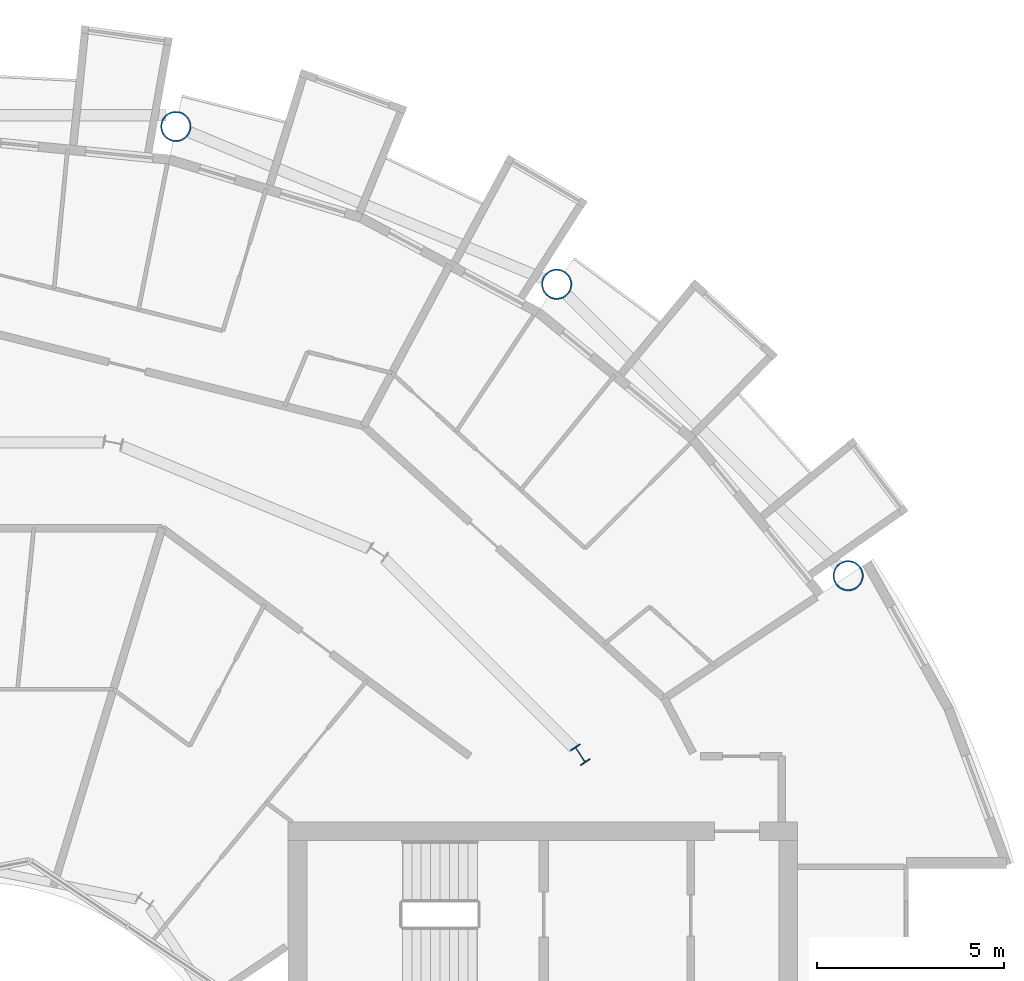
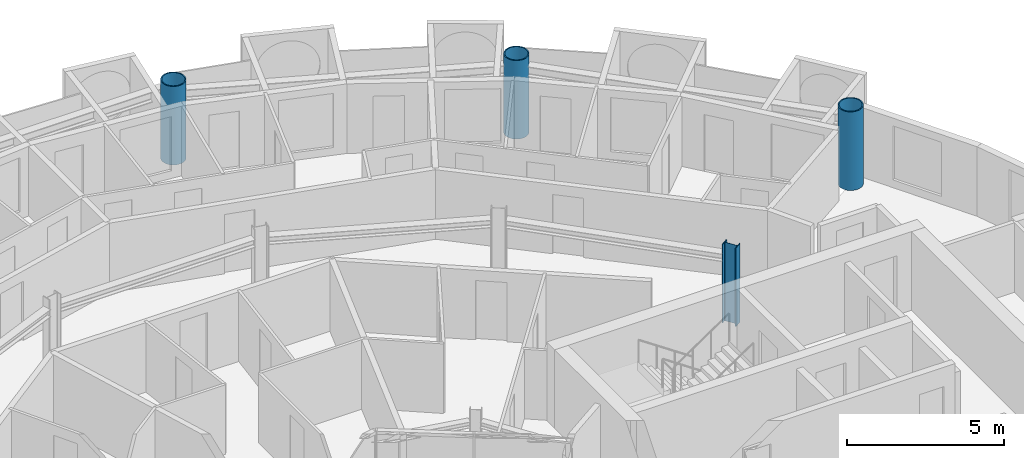
# One storey, part 4 of 27: 4 columns.
"""IFC4 building model written with IfcOpenShell, lengths in metres."""

from ifc_helpers import new_model, si_unit, direction, frame, origin, origin_2d, place, context, subcontext, project, spatial, hollow_circle, i_section, extrude, material, material_profile, profile_set, type_object, element, save


model = new_model("IFC4")

# Units and contexts
model_context = context("Model", 3, precision=1e-05, world=origin(), true_north=direction((0.0, 1.0)))
body_context = subcontext(model_context, "Body", "Model", "MODEL_VIEW")
ifc_project = project(units=[si_unit("LENGTHUNIT", "METRE"), si_unit("AREAUNIT", "SQUARE_METRE"), si_unit("VOLUMEUNIT", "CUBIC_METRE"), si_unit("PLANEANGLEUNIT", "RADIAN"), si_unit("MASSUNIT", "GRAM", prefix="KILO")], contexts=[model_context])

# Site, building, storey
site_placement = place(None, origin())
site = spatial("IfcSite", under=ifc_project, at=site_placement, CompositionType="ELEMENT")
building_placement = place(site_placement, origin())
building = spatial("IfcBuilding", under=site, at=building_placement, Name="Maasbend Ring Residences", CompositionType="ELEMENT")
storey_placement = place(building_placement, frame((0.0, 0.0, 151.300048828125)))
storey = spatial("IfcBuildingStorey", under=building, at=storey_placement, Name="L43", CompositionType="ELEMENT", Elevation=151.300048828125)

# Columns
ifc_material_1 = material(Name="Composite concrete-filled steel tube S460NH / C80/95", Category="concrete")
ifc_material_profile_1 = material_profile(ifc_material_1, hollow_circle(Radius=0.406494140625, WallThickness=0.0400390625, at=origin_2d()), Name="Composite tube column CHS 813x40")
ifc_profile_set_1 = profile_set([ifc_material_profile_1], Name="Composite concrete-filled steel tube S460NH / C80/95")
column_type_1 = type_object("IfcColumnType", Name="Composite tube column CHS 813x40", PredefinedType="COLUMN", material=ifc_profile_set_1)
for number, where, z_axis, x_axis, name in (
    (1, (23.447509765625, 15.6669921875, 0.0), (0.0, 0.0, 1.0), (1.0, 0.0, 0.0), "Outer column R2"),
    (2, (15.6669921875, 23.447509765625, 0.0), (0.0, 0.0, 1.0), (1.0, 0.0, 0.0), "Outer column R3"),
    (3, (5.50146484375, 27.658203125, 0.0), (0.0, 0.0, 1.0), (1.0, 0.0, 0.0), "Outer column R4"),
):
    element("IfcColumn", number, at=place(storey_placement, frame(where, z_axis=z_axis, x_axis=x_axis)), inside=storey, type_object=column_type_1, Name=name, PredefinedType="COLUMN", context=body_context, shape_type="SweptSolid", body=[
        extrude(hollow_circle(Radius=0.406494140625, WallThickness=0.0400390625, at=origin_2d()), origin(), (0.0, 0.0, 1.0), 3.050048828125),
    ])
ifc_material_2 = material(Name="Steel S355J2", Category="steel")
ifc_material_profile_2 = material_profile(ifc_material_2, i_section(OverallWidth=0.300048828125, OverallDepth=0.5, WebThickness=0.014404296875, FlangeThickness=0.028076171875, FilletRadius=0.027099609375, at=origin_2d()), Name="HEB 500")
ifc_profile_set_2 = profile_set([ifc_material_profile_2], Name="Steel S355J2")
column_type_2 = type_object("IfcColumnType", Name="Steel column HEB 500", PredefinedType="COLUMN", material=ifc_profile_set_2)
column_placement = place(storey_placement, frame((16.296875, 10.88916015625, 0.0), z_axis=(0.0, 0.0, 1.0), x_axis=(0.831469612303, 0.55557023302, 0.0)))
element("IfcColumn", 4, at=column_placement, inside=storey, type_object=column_type_2, Name="Corridor ring column R2", PredefinedType="COLUMN", context=body_context, shape_type="SweptSolid", body=[
    extrude(i_section(OverallWidth=0.300048828125, OverallDepth=0.5, WebThickness=0.014404296875, FlangeThickness=0.028076171875, FilletRadius=0.027099609375, at=origin_2d()), origin(), (0.0, 0.0, 1.0), 3.050048828125),
])

save(model, "model.ifc")
